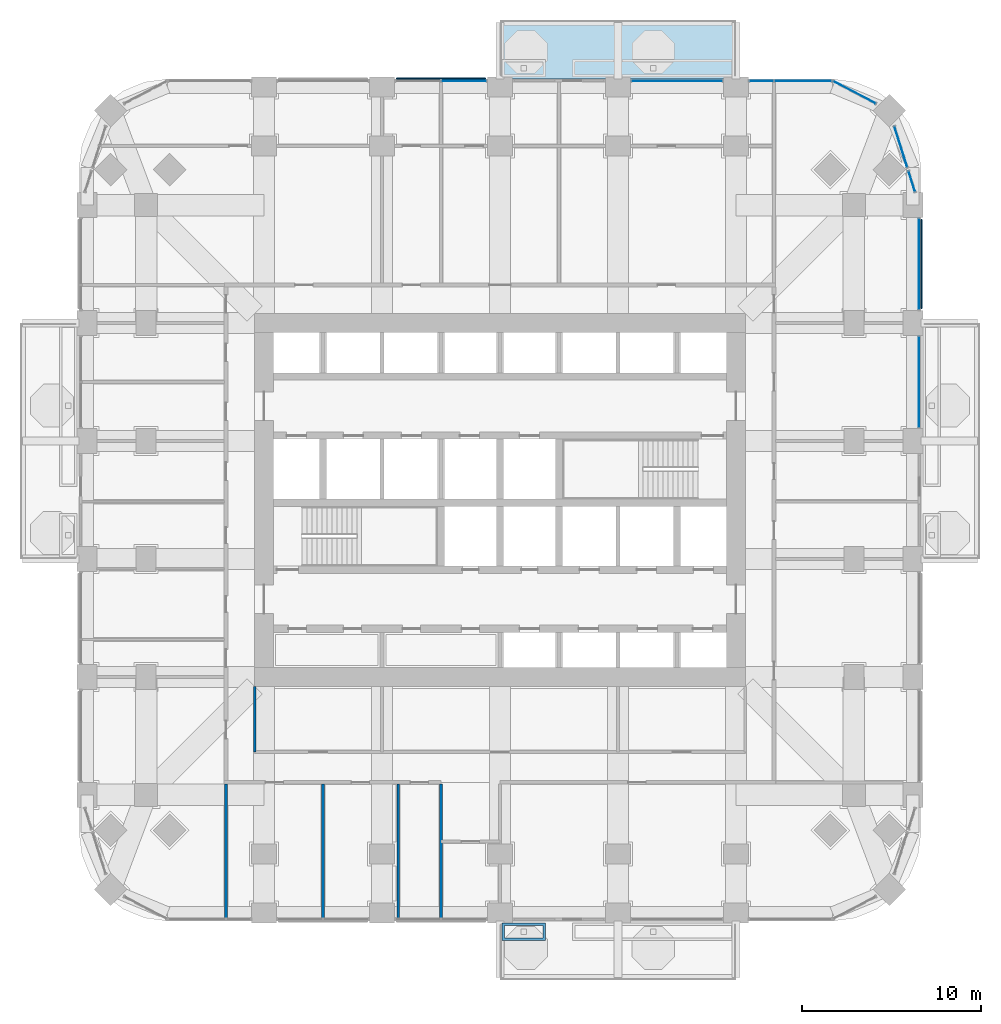
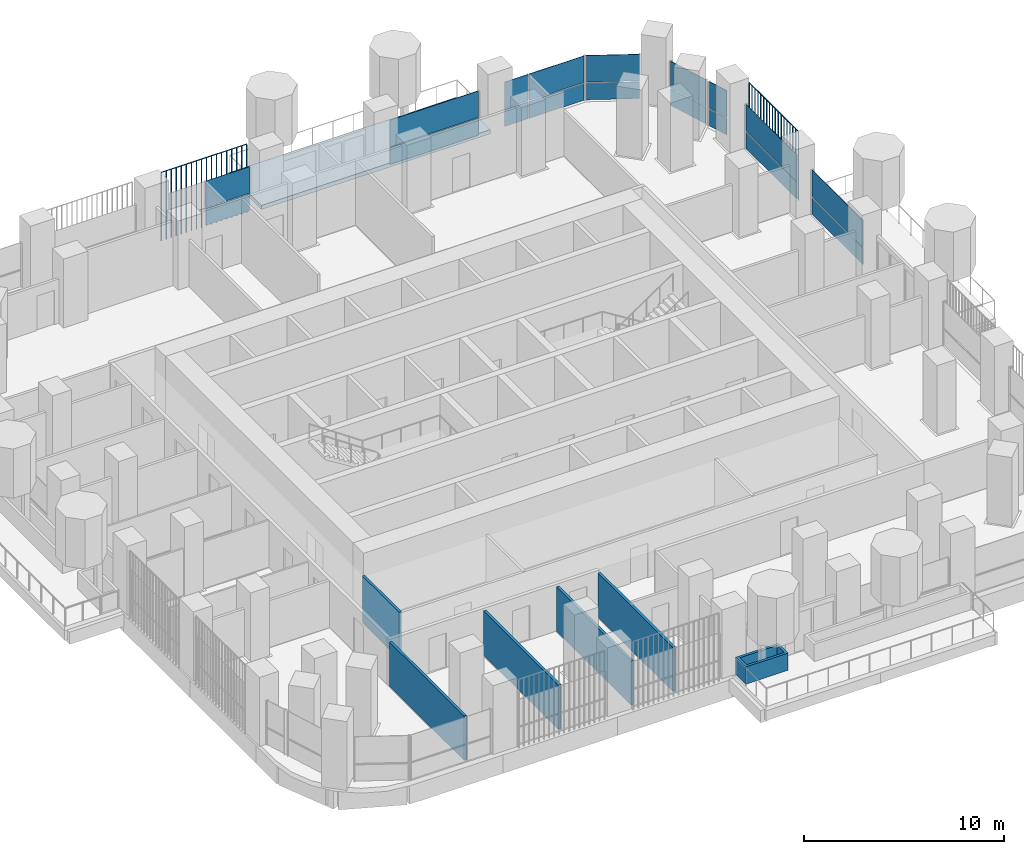
# One storey, part 13 of 22: 20 plates, 6 walls, 1 slab, 8 elements without a shape of their own.
"""IFC4 building model written with IfcOpenShell, lengths in metres."""

import ifcopenshell
import ifcopenshell.guid

model = None  # the IFC model being written
_history = None  # IfcOwnerHistory: only IFC2X3 demands one
_inside = {}  # id of a spatial element -> (the spatial element, [elements in it])
_under = {}  # id of a project, library or spatial element -> (it, [spatial elements below it])
_declared = {}  # id of a project -> (the project, [libraries it declares])
_typed = {}  # id of a type object -> (the type object, [elements of that type])
_made_of = {}  # id of a material, layer set ... -> (it, [elements and type objects made of it])


def new_model(schema):
    """Start an empty IFC model of exactly this schema.

    Asked for "IFC4X3", IfcOpenShell would pick the latest addendum, in which some entities
    have other attributes; the version numbers below select the first issue.
    IFC2X3 requires an IfcOwnerHistory on every rooted entity: one is made here for all.
    """
    global model, _history
    if schema == "IFC4X3":
        model = ifcopenshell.file(schema_version=(4, 3, 0, 0))
    else:
        model = ifcopenshell.file(schema=schema)
    _inside.clear()
    _under.clear()
    _declared.clear()
    _typed.clear()
    _made_of.clear()
    _history = None
    if model.schema == "IFC2X3":
        org = make("IfcOrganization", Name="unknown")
        user = make(
            "IfcPersonAndOrganization",
            ThePerson=make("IfcPerson", FamilyName="unknown"),
            TheOrganization=org,
        )
        app = make(
            "IfcApplication",
            ApplicationDeveloper=org,
            Version="unknown",
            ApplicationFullName="unknown",
            ApplicationIdentifier="unknown",
        )
        _history = make(
            "IfcOwnerHistory",
            OwningUser=user,
            OwningApplication=app,
            ChangeAction="ADDED",
            CreationDate=0,
        )
    return model


def make(cls, **values):
    """One entity of the class cls with the attributes given. An attribute that is None is left unset."""
    return model.create_entity(
        cls, **{name: value for name, value in values.items() if value is not None}
    )


def rooted(cls, **values):
    """An entity with a GlobalId (a new one), such as an element, a storey or a relation."""
    return make(cls, GlobalId=ifcopenshell.guid.new(), OwnerHistory=_history, **values)


def si_unit(unit_type, name, prefix=None):
    """IfcSIUnit, for example si_unit("LENGTHUNIT", "METRE", prefix="MILLI")."""
    return make("IfcSIUnit", UnitType=unit_type, Prefix=prefix, Name=name)


def assignment(units):
    """IfcUnitAssignment: the units of a project."""
    return None if units is None else make("IfcUnitAssignment", Units=units)


def point(xyz):
    """IfcCartesianPoint."""
    return None if xyz is None else make("IfcCartesianPoint", Coordinates=xyz)


def direction(xyz):
    """IfcDirection."""
    return None if xyz is None else make("IfcDirection", DirectionRatios=xyz)


def frame(location, z_axis=None, x_axis=None):
    """IfcAxis2Placement3D, a coordinate frame: its origin and axes. An axis left out is left unset."""
    return make(
        "IfcAxis2Placement3D",
        Location=point(location),
        Axis=direction(z_axis),
        RefDirection=direction(x_axis),
    )


def frame_2d(location, x_axis=None):
    """IfcAxis2Placement2D, a coordinate frame in the plane: its origin and x axis."""
    return make(
        "IfcAxis2Placement2D", Location=point(location), RefDirection=direction(x_axis)
    )


def origin():
    """The frame at (0, 0, 0) with its axes left unset."""
    return frame((0.0, 0.0, 0.0))


def origin_2d():
    """The frame at (0, 0) in the plane with its x axis left unset."""
    return frame_2d((0.0, 0.0))


def place(relative_to, where):
    """IfcLocalPlacement: puts the frame where relative to a parent placement (None: the world)."""
    return make(
        "IfcLocalPlacement", PlacementRelTo=relative_to, RelativePlacement=where
    )


def context(
    kind, dimensions, precision=None, world=None, true_north=None, identifier=None
):
    """IfcGeometricRepresentationContext, for example the 3D "Model" context."""
    return make(
        "IfcGeometricRepresentationContext",
        ContextIdentifier=identifier,
        ContextType=kind,
        CoordinateSpaceDimension=dimensions,
        Precision=precision,
        WorldCoordinateSystem=world,
        TrueNorth=true_north,
    )


def subcontext(parent, identifier, kind, view, scale=None):
    """IfcGeometricRepresentationSubContext, for example "Body" below "Model"."""
    return make(
        "IfcGeometricRepresentationSubContext",
        ContextIdentifier=identifier,
        ContextType=kind,
        ParentContext=parent,
        TargetScale=scale,
        TargetView=view,
    )


def project(units=None, contexts=None):
    """IfcProject with its units and contexts."""
    return rooted(
        "IfcProject",
        Name="project",
        RepresentationContexts=contexts,
        UnitsInContext=assignment(units),
    )


def spatial(cls, under=None, at=None, **own):
    """A site, building, storey or space (cls), placed at a placement, below another one or the project."""
    s = rooted(cls, ObjectPlacement=at, **own)
    if under is not None:
        _under.setdefault(under.id(), (under, []))[1].append(s)
    return s


def polyline(points):
    """IfcPolyline through the points."""
    return make("IfcPolyline", Points=[point(p) for p in points])


def profile(cls, at=None, kind="AREA", **sizes):
    """A parametric profile (cls). Its sizes go by their IFC names, for example OverallWidth=200.0."""
    return make(cls, ProfileType=kind, Position=at, **sizes)


def rectangle(**sizes):
    """IfcRectangleProfileDef."""
    return profile("IfcRectangleProfileDef", **sizes)


def outline(outer, holes=None, kind="AREA"):
    """IfcArbitraryClosedProfileDef: a profile drawn as a closed curve; with holes, ...WithVoids."""
    if holes is None:
        return make("IfcArbitraryClosedProfileDef", ProfileType=kind, OuterCurve=outer)
    return make(
        "IfcArbitraryProfileDefWithVoids",
        ProfileType=kind,
        OuterCurve=outer,
        InnerCurves=holes,
    )


def extrude(swept, where, along, depth):
    """IfcExtrudedAreaSolid: the profile swept, set in the frame where, extruded along a direction by depth."""
    return make(
        "IfcExtrudedAreaSolid",
        SweptArea=swept,
        Position=where,
        ExtrudedDirection=direction(along),
        Depth=depth,
    )


def shape(context_of_items, identifier, shape_type, items):
    """IfcShapeRepresentation: the items that make up one representation, for example the "Body"."""
    return make(
        "IfcShapeRepresentation",
        ContextOfItems=context_of_items,
        RepresentationIdentifier=identifier,
        RepresentationType=shape_type,
        Items=items,
    )


def material(Name=None, Category=None):
    """IfcMaterial."""
    return make("IfcMaterial", Name=Name, Category=Category)


def layer(
    of_material, thickness, ventilated=None, Name=None, Category=None, Priority=None
):
    """IfcMaterialLayer: one layer of a wall or slab, of a material (None: an air gap)."""
    return make(
        "IfcMaterialLayer",
        Material=of_material,
        LayerThickness=thickness,
        IsVentilated=ventilated,
        Name=Name,
        Category=Category,
        Priority=Priority,
    )


def layer_set(layers, Name=None):
    """IfcMaterialLayerSet."""
    return make("IfcMaterialLayerSet", MaterialLayers=layers, LayerSetName=Name)


def made_of(thing, what):
    """Note that an element or type object is made of a material, layer set ...; save() writes the relation."""
    if what is not None:
        _made_of.setdefault(what.id(), (what, []))[1].append(thing)
    return thing


def type_object(cls, material=None, **own):
    """A type object (cls), such as IfcWallType, which elements share."""
    return made_of(rooted(cls, **own), material)


def element(
    cls,
    number,
    at=None,
    inside=None,
    cuts=None,
    type_object=None,
    material=None,
    context=None,
    identifier="Body",
    shape_type=None,
    held_by="IfcProductDefinitionShape",
    body=None,
    shapes=None,
    **own,
):
    """One element of the class cls, such as IfcWall. Its Tag is "e" and its number.

    at: its placement. inside: the storey or other place that contains it. cuts: it is an
    opening in that element (IfcRelVoidsElement). A single representation is given by context,
    identifier, shape_type and body (its items); several are given by shapes. held_by: the class
    of the entity that holds the representations. save() writes the other relations.
    """
    e = rooted(cls, Tag="e%d" % number, ObjectPlacement=at, **own)
    if body is not None:
        shapes = [shape(context, identifier, shape_type, body)]
    if shapes is not None:
        e.Representation = make(held_by, Representations=shapes)
    if inside is not None:
        _inside.setdefault(inside.id(), (inside, []))[1].append(e)
    if cuts is not None:
        rooted(
            "IfcRelVoidsElement", RelatingBuildingElement=cuts, RelatedOpeningElement=e
        )
    if type_object is not None:
        _typed.setdefault(type_object.id(), (type_object, []))[1].append(e)
    return made_of(e, material)


def aggregate(whole, parts):
    """IfcRelAggregates: a whole, such as a stair, and the parts it consists of."""
    return rooted("IfcRelAggregates", RelatingObject=whole, RelatedObjects=parts)


def save(model, path):
    """Write the relations noted so far, then the file.

    IfcRelAggregates (storeys below a building ...), IfcRelContainedInSpatialStructure (elements
    in a storey), IfcRelDefinesByType, IfcRelAssociatesMaterial and IfcRelDeclares: one each for
    every whole, place, type object, material and project.
    """
    for whole, parts in _under.values():
        aggregate(whole, parts)
    for where, things in _inside.values():
        rooted(
            "IfcRelContainedInSpatialStructure",
            RelatedElements=things,
            RelatingStructure=where,
        )
    for kind, things in _typed.values():
        rooted("IfcRelDefinesByType", RelatedObjects=things, RelatingType=kind)
    for what, things in _made_of.values():
        rooted("IfcRelAssociatesMaterial", RelatedObjects=things, RelatingMaterial=what)
    for by, libraries in _declared.values():
        rooted("IfcRelDeclares", RelatingContext=by, RelatedDefinitions=libraries)
    model.write(path)


model = new_model("IFC4")

# Units and contexts
model_context = context("Model", 3, precision=1e-05, world=origin(), true_north=direction((0.0, 1.0)))
body_context = subcontext(model_context, "Body", "Model", "MODEL_VIEW")
ifc_project = project(units=[si_unit("LENGTHUNIT", "METRE"), si_unit("AREAUNIT", "SQUARE_METRE"), si_unit("VOLUMEUNIT", "CUBIC_METRE"), si_unit("PLANEANGLEUNIT", "RADIAN"), si_unit("MASSUNIT", "GRAM", prefix="KILO")], contexts=[model_context])

# Site, building, storey
site_placement = place(None, origin())
site = spatial("IfcSite", under=ifc_project, at=site_placement, CompositionType="ELEMENT")
building_placement = place(site_placement, origin())
building = spatial("IfcBuilding", under=site, at=building_placement, Name="Cobogo Forest Laboratory Tower", CompositionType="ELEMENT")
storey_placement = place(building_placement, frame((0.0, 0.0, 111.60009765625)))
storey = spatial("IfcBuildingStorey", under=building, at=storey_placement, Name="L25", CompositionType="ELEMENT", Elevation=111.60009765625)

# Slab
ifc_material_1 = material(Name="Concrete HA-40 (C40/50)", Category="concrete")
ifc_layer_1 = layer(ifc_material_1, 0.25)
ifc_layer_set_1 = layer_set([ifc_layer_1], Name="Balcony slab 250")
slab_type = type_object("IfcSlabType", Name="Balcony slab 250", PredefinedType="FLOOR", material=ifc_layer_set_1)
slab_placement = place(storey_placement, frame((0.0, 0.0, -0.25)))
element("IfcSlab", 1, at=slab_placement, inside=storey, type_object=slab_type, Name="Balcony BAL-N1 L25", PredefinedType="FLOOR", context=body_context, shape_type="SweptSolid", body=[
    extrude(outline(polyline([(26.39990234375, 46.64990234375), (39.60009765625, 46.64990234375), (39.60009765625, 49.949951171875), (26.39990234375, 49.949951171875), (26.39990234375, 46.64990234375)])), origin(), (0.0, 0.0, 1.0), 0.25),
])

# Curtain wall, plates
ifc_material_2 = material(Name="Aluminium curtain wall", Category="aluminium")
curtain_wall_type = type_object("IfcCurtainWallType", Name="CW-1 unitised curtain wall, clear glazing, laboratory floors zones A and B", PredefinedType="USERDEFINED", material=ifc_material_2)
curtain_wall_1_placement = place(storey_placement, origin())
curtain_wall_1 = element("IfcCurtainWall", 2, at=curtain_wall_1_placement, inside=storey, type_object=curtain_wall_type, Name="Curtain wall 13 L25", ObjectType="UNITISED CURTAIN WALL", PredefinedType="USERDEFINED")
ifc_material_3 = material(Name="Clear insulated glass", Category="glass")
ifc_layer_2 = layer(ifc_material_3, 0.028076171875)
ifc_layer_set_2 = layer_set([ifc_layer_2], Name="GP-1 clear insulated glass unit 28")
plate_type_1 = type_object("IfcPlateType", Name="GP-1 clear insulated glass unit 28", PredefinedType="CURTAIN_PANEL", material=ifc_layer_set_2)
plate_1_placement = place(storey_placement, frame((49.85009765625, 29.699951171875, 0.0), z_axis=(0.0, 0.0, 1.0), x_axis=(0.0, 1.0, 0.0)))
plate_1 = element("IfcPlate", 3, at=plate_1_placement, type_object=plate_type_1, Name="CW-1 panel 1.1", PredefinedType="CURTAIN_PANEL", context=body_context, shape_type="SweptSolid", body=[
    extrude(rectangle(XDim=5.080078125, YDim=0.028076171875, at=origin_2d()), origin(), (0.0, 0.0, 1.0), 1.02001953125),
])
plate_2_placement = place(storey_placement, frame((49.85009765625, 29.699951171875, 1.079833984375), z_axis=(0.0, 0.0, 1.0), x_axis=(0.0, 1.0, 0.0)))
plate_2 = element("IfcPlate", 4, at=plate_2_placement, type_object=plate_type_1, Name="CW-1 panel 1.2", PredefinedType="CURTAIN_PANEL", context=body_context, shape_type="SweptSolid", body=[
    extrude(rectangle(XDim=5.080078125, YDim=0.028076171875, at=origin_2d()), origin(), (0.0, 0.0, 1.0), 1.6201171875),
])
aggregate(curtain_wall_1, [plate_1, plate_2])

curtain_wall_2_placement = place(storey_placement, origin())
curtain_wall_2 = element("IfcCurtainWall", 5, at=curtain_wall_2_placement, inside=storey, type_object=curtain_wall_type, Name="Curtain wall 14 L25", ObjectType="UNITISED CURTAIN WALL", PredefinedType="USERDEFINED")
plate_3_placement = place(storey_placement, frame((49.85009765625, 36.300048828125, 0.0), z_axis=(0.0, 0.0, 1.0), x_axis=(0.0, 1.0, 0.0)))
plate_3 = element("IfcPlate", 6, at=plate_3_placement, type_object=plate_type_1, Name="CW-1 panel 1.1", PredefinedType="CURTAIN_PANEL", context=body_context, shape_type="SweptSolid", body=[
    extrude(rectangle(XDim=5.080078125, YDim=0.028076171875, at=origin_2d()), origin(), (0.0, 0.0, 1.0), 1.02001953125),
])
plate_4_placement = place(storey_placement, frame((49.85009765625, 36.300048828125, 1.079833984375), z_axis=(0.0, 0.0, 1.0), x_axis=(0.0, 1.0, 0.0)))
plate_4 = element("IfcPlate", 7, at=plate_4_placement, type_object=plate_type_1, Name="CW-1 panel 1.2", PredefinedType="CURTAIN_PANEL", context=body_context, shape_type="SweptSolid", body=[
    extrude(rectangle(XDim=5.080078125, YDim=0.028076171875, at=origin_2d()), origin(), (0.0, 0.0, 1.0), 1.6201171875),
])
aggregate(curtain_wall_2, [plate_3, plate_4])

curtain_wall_3_placement = place(storey_placement, origin())
curtain_wall_3 = element("IfcCurtainWall", 8, at=curtain_wall_3_placement, inside=storey, type_object=curtain_wall_type, Name="Curtain wall 15 L25", ObjectType="UNITISED CURTAIN WALL", PredefinedType="USERDEFINED")
plate_5_placement = place(storey_placement, frame((49.433837890625, 40.917724609375, 0.0), z_axis=(0.0, 0.0, 1.0), x_axis=(-0.301135356805, 0.953581405483, 0.0)))
plate_5 = element("IfcPlate", 9, at=plate_5_placement, type_object=plate_type_1, Name="CW-1 panel 1.1", PredefinedType="CURTAIN_PANEL", context=body_context, shape_type="SweptSolid", body=[
    extrude(rectangle(XDim=1.17578125, YDim=0.028076171875, at=origin_2d()), origin(), (0.0, 0.0, 1.0), 1.02001953125),
])
plate_6_placement = place(storey_placement, frame((49.433837890625, 40.917724609375, 1.079833984375), z_axis=(0.0, 0.0, 1.0), x_axis=(-0.301135356805, 0.953581405483, 0.0)))
plate_6 = element("IfcPlate", 10, at=plate_6_placement, type_object=plate_type_1, Name="CW-1 panel 1.2", PredefinedType="CURTAIN_PANEL", context=body_context, shape_type="SweptSolid", body=[
    extrude(rectangle(XDim=1.17578125, YDim=0.028076171875, at=origin_2d()), origin(), (0.0, 0.0, 1.0), 1.6201171875),
])
aggregate(curtain_wall_3, [plate_5, plate_6])

curtain_wall_4_placement = place(storey_placement, origin())
curtain_wall_4 = element("IfcCurtainWall", 11, at=curtain_wall_4_placement, inside=storey, type_object=curtain_wall_type, Name="Curtain wall 16 L25", ObjectType="UNITISED CURTAIN WALL", PredefinedType="USERDEFINED")
plate_7_placement = place(storey_placement, frame((48.8212890625, 42.857421875, 0.0), z_axis=(0.0, 0.0, 1.0), x_axis=(-0.301135291996, 0.953581425949, 0.0)))
plate_7 = element("IfcPlate", 12, at=plate_7_placement, type_object=plate_type_1, Name="CW-1 panel 1.1", PredefinedType="CURTAIN_PANEL", context=body_context, shape_type="SweptSolid", body=[
    extrude(rectangle(XDim=2.3681640625, YDim=0.028076171875, at=origin_2d()), origin(), (0.0, 0.0, 1.0), 1.02001953125),
])
plate_8_placement = place(storey_placement, frame((48.8212890625, 42.857421875, 1.079833984375), z_axis=(0.0, 0.0, 1.0), x_axis=(-0.301135291996, 0.953581425949, 0.0)))
plate_8 = element("IfcPlate", 13, at=plate_8_placement, type_object=plate_type_1, Name="CW-1 panel 1.2", PredefinedType="CURTAIN_PANEL", context=body_context, shape_type="SweptSolid", body=[
    extrude(rectangle(XDim=2.3681640625, YDim=0.028076171875, at=origin_2d()), origin(), (0.0, 0.0, 1.0), 1.6201171875),
])
aggregate(curtain_wall_4, [plate_7, plate_8])

curtain_wall_5_placement = place(storey_placement, origin())
curtain_wall_5 = element("IfcCurtainWall", 14, at=curtain_wall_5_placement, inside=storey, type_object=curtain_wall_type, Name="Curtain wall 17 L25", ObjectType="UNITISED CURTAIN WALL", PredefinedType="USERDEFINED")
plate_9_placement = place(storey_placement, frame((46.229248046875, 45.90576171875, 0.0), z_axis=(0.0, 0.0, 1.0), x_axis=(-0.885686547075, 0.464283685186, 0.0)))
plate_9 = element("IfcPlate", 15, at=plate_9_placement, type_object=plate_type_1, Name="CW-1 panel 1.1", PredefinedType="CURTAIN_PANEL", context=body_context, shape_type="SweptSolid", body=[
    extrude(rectangle(XDim=2.655517578125, YDim=0.028076171875, at=origin_2d()), origin(), (0.0, 0.0, 1.0), 1.02001953125),
])
plate_10_placement = place(storey_placement, frame((46.229248046875, 45.90576171875, 1.079833984375), z_axis=(0.0, 0.0, 1.0), x_axis=(-0.885686547075, 0.464283685186, 0.0)))
plate_10 = element("IfcPlate", 16, at=plate_10_placement, type_object=plate_type_1, Name="CW-1 panel 1.2", PredefinedType="CURTAIN_PANEL", context=body_context, shape_type="SweptSolid", body=[
    extrude(rectangle(XDim=2.655517578125, YDim=0.028076171875, at=origin_2d()), origin(), (0.0, 0.0, 1.0), 1.6201171875),
])
aggregate(curtain_wall_5, [plate_9, plate_10])

curtain_wall_6_placement = place(storey_placement, origin())
curtain_wall_6 = element("IfcCurtainWall", 17, at=curtain_wall_6_placement, inside=storey, type_object=curtain_wall_type, Name="Curtain wall 18 L25", ObjectType="UNITISED CURTAIN WALL", PredefinedType="USERDEFINED")
plate_11_placement = place(storey_placement, frame((43.347412109375, 46.550048828125, 0.0), z_axis=(0.0, 0.0, 1.0), x_axis=(-1.0, 0.0, 0.0)))
plate_11 = element("IfcPlate", 18, at=plate_11_placement, type_object=plate_type_1, Name="CW-1 panel 1.1", PredefinedType="CURTAIN_PANEL", context=body_context, shape_type="SweptSolid", body=[
    extrude(rectangle(XDim=3.18505859375, YDim=0.028076171875, at=origin_2d()), origin(), (0.0, 0.0, 1.0), 1.02001953125),
])
plate_12_placement = place(storey_placement, frame((43.347412109375, 46.550048828125, 1.079833984375), z_axis=(0.0, 0.0, 1.0), x_axis=(-1.0, 0.0, 0.0)))
plate_12 = element("IfcPlate", 19, at=plate_12_placement, type_object=plate_type_1, Name="CW-1 panel 1.2", PredefinedType="CURTAIN_PANEL", context=body_context, shape_type="SweptSolid", body=[
    extrude(rectangle(XDim=3.18505859375, YDim=0.028076171875, at=origin_2d()), origin(), (0.0, 0.0, 1.0), 1.6201171875),
])
plate_13_placement = place(storey_placement, frame((41.027587890625, 46.550048828125, 0.0), z_axis=(0.0, 0.0, 1.0), x_axis=(-1.0, 0.0, 0.0)))
plate_13 = element("IfcPlate", 20, at=plate_13_placement, type_object=plate_type_1, Name="CW-1 panel 2.1", PredefinedType="CURTAIN_PANEL", context=body_context, shape_type="SweptSolid", body=[
    extrude(rectangle(XDim=1.3349609375, YDim=0.028076171875, at=origin_2d()), origin(), (0.0, 0.0, 1.0), 1.02001953125),
])
plate_14_placement = place(storey_placement, frame((41.027587890625, 46.550048828125, 1.079833984375), z_axis=(0.0, 0.0, 1.0), x_axis=(-1.0, 0.0, 0.0)))
plate_14 = element("IfcPlate", 21, at=plate_14_placement, type_object=plate_type_1, Name="CW-1 panel 2.2", PredefinedType="CURTAIN_PANEL", context=body_context, shape_type="SweptSolid", body=[
    extrude(rectangle(XDim=1.3349609375, YDim=0.028076171875, at=origin_2d()), origin(), (0.0, 0.0, 1.0), 1.6201171875),
])
aggregate(curtain_wall_6, [plate_11, plate_12, plate_13, plate_14])

curtain_wall_7_placement = place(storey_placement, origin())
curtain_wall_7 = element("IfcCurtainWall", 22, at=curtain_wall_7_placement, inside=storey, type_object=curtain_wall_type, Name="Curtain wall 19 L25", ObjectType="UNITISED CURTAIN WALL", PredefinedType="USERDEFINED")
plate_15_placement = place(storey_placement, frame((36.300048828125, 46.550048828125, 0.0), z_axis=(0.0, 0.0, 1.0), x_axis=(-1.0, 0.0, 0.0)))
plate_15 = element("IfcPlate", 23, at=plate_15_placement, type_object=plate_type_1, Name="CW-1 panel 1.1", PredefinedType="CURTAIN_PANEL", context=body_context, shape_type="SweptSolid", body=[
    extrude(rectangle(XDim=5.080078125, YDim=0.028076171875, at=origin_2d()), origin(), (0.0, 0.0, 1.0), 1.02001953125),
])
plate_16_placement = place(storey_placement, frame((36.300048828125, 46.550048828125, 1.079833984375), z_axis=(0.0, 0.0, 1.0), x_axis=(-1.0, 0.0, 0.0)))
plate_16 = element("IfcPlate", 24, at=plate_16_placement, type_object=plate_type_1, Name="CW-1 panel 1.2", PredefinedType="CURTAIN_PANEL", context=body_context, shape_type="SweptSolid", body=[
    extrude(rectangle(XDim=5.080078125, YDim=0.028076171875, at=origin_2d()), origin(), (0.0, 0.0, 1.0), 1.6201171875),
])
aggregate(curtain_wall_7, [plate_15, plate_16])

curtain_wall_8_placement = place(storey_placement, origin())
curtain_wall_8 = element("IfcCurtainWall", 25, at=curtain_wall_8_placement, inside=storey, type_object=curtain_wall_type, Name="Curtain wall 21 L25", ObjectType="UNITISED CURTAIN WALL", PredefinedType="USERDEFINED")
plate_17_placement = place(storey_placement, frame((24.385009765625, 46.550048828125, 0.0), z_axis=(0.0, 0.0, 1.0), x_axis=(-1.0, 0.0, 0.0)))
plate_17 = element("IfcPlate", 26, at=plate_17_placement, type_object=plate_type_1, Name="CW-1 panel 1.1", PredefinedType="CURTAIN_PANEL", context=body_context, shape_type="SweptSolid", body=[
    extrude(rectangle(XDim=2.510009765625, YDim=0.028076171875, at=origin_2d()), origin(), (0.0, 0.0, 1.0), 1.02001953125),
])
plate_18_placement = place(storey_placement, frame((24.385009765625, 46.550048828125, 1.079833984375), z_axis=(0.0, 0.0, 1.0), x_axis=(-1.0, 0.0, 0.0)))
plate_18 = element("IfcPlate", 27, at=plate_18_placement, type_object=plate_type_1, Name="CW-1 panel 1.2", PredefinedType="CURTAIN_PANEL", context=body_context, shape_type="SweptSolid", body=[
    extrude(rectangle(XDim=2.510009765625, YDim=0.028076171875, at=origin_2d()), origin(), (0.0, 0.0, 1.0), 1.6201171875),
])
aggregate(curtain_wall_8, [plate_17, plate_18])

# Plates
ifc_material_4 = material(Name="Terracotta", Category="masonry")
plate_type_2 = type_object("IfcPlateType", Name="TB1 terracotta baguette screen", PredefinedType="USERDEFINED", material=ifc_material_4)
plate_19_placement = place(storey_placement, frame((49.977783203125, 33.831298828125, -0.150146484375)))
element("IfcPlate", 28, at=plate_19_placement, inside=storey, type_object=plate_type_2, Name="Baguette screen E5 L25", ObjectType="BAGUETTE SCREEN", PredefinedType="USERDEFINED", context=body_context, shape_type="SweptSolid", body=[
    extrude(outline(polyline([(0.02880859375, 0.011962890625), (0.011962890625, 0.02880859375), (-0.011962890625, 0.02880859375), (-0.02880859375, 0.011962890625), (-0.02880859375, -0.011962890625), (-0.011962890625, -0.02880859375), (0.011962890625, -0.02880859375), (0.02880859375, -0.011962890625), (0.02880859375, 0.011962890625)])), frame((0.0, 0.0, 4.168701171875), z_axis=(0.0, 1.0, 0.0), x_axis=(-1.0, 0.0, 0.0)), (0.0, 0.0, 1.0), 4.9375),
    extrude(outline(polyline([(0.02880859375, 0.011962890625), (0.011962890625, 0.02880859375), (-0.011962890625, 0.02880859375), (-0.02880859375, 0.011962890625), (-0.02880859375, -0.011962890625), (-0.011962890625, -0.02880859375), (0.011962890625, -0.02880859375), (0.02880859375, -0.011962890625), (0.02880859375, 0.011962890625)])), origin(), (0.0, 0.0, 1.0), 4.137451171875),
    extrude(outline(polyline([(0.02880859375, 0.011962890625), (0.011962890625, 0.02880859375), (-0.011962890625, 0.02880859375), (-0.02880859375, 0.011962890625), (-0.02880859375, -0.011962890625), (-0.011962890625, -0.02880859375), (0.011962890625, -0.02880859375), (0.02880859375, -0.011962890625), (0.02880859375, 0.011962890625)])), frame((0.0, 0.29052734375, 0.0)), (0.0, 0.0, 1.0), 4.137451171875),
    extrude(outline(polyline([(0.02880859375, 0.011962890625), (0.011962890625, 0.02880859375), (-0.011962890625, 0.02880859375), (-0.02880859375, 0.011962890625), (-0.02880859375, -0.011962890625), (-0.011962890625, -0.02880859375), (0.011962890625, -0.02880859375), (0.02880859375, -0.011962890625), (0.02880859375, 0.011962890625)])), frame((0.0, 0.580810546875, 0.0)), (0.0, 0.0, 1.0), 4.137451171875),
    extrude(outline(polyline([(0.02880859375, 0.011962890625), (0.011962890625, 0.02880859375), (-0.011962890625, 0.02880859375), (-0.02880859375, 0.011962890625), (-0.02880859375, -0.011962890625), (-0.011962890625, -0.02880859375), (0.011962890625, -0.02880859375), (0.02880859375, -0.011962890625), (0.02880859375, 0.011962890625)])), frame((0.0, 0.871337890625, 0.0)), (0.0, 0.0, 1.0), 4.137451171875),
    extrude(outline(polyline([(0.02880859375, 0.011962890625), (0.011962890625, 0.02880859375), (-0.011962890625, 0.02880859375), (-0.02880859375, 0.011962890625), (-0.02880859375, -0.011962890625), (-0.011962890625, -0.02880859375), (0.011962890625, -0.02880859375), (0.02880859375, -0.011962890625), (0.02880859375, 0.011962890625)])), frame((0.0, 1.161865234375, 0.0)), (0.0, 0.0, 1.0), 4.137451171875),
    extrude(outline(polyline([(0.02880859375, 0.011962890625), (0.011962890625, 0.02880859375), (-0.011962890625, 0.02880859375), (-0.02880859375, 0.011962890625), (-0.02880859375, -0.011962890625), (-0.011962890625, -0.02880859375), (0.011962890625, -0.02880859375), (0.02880859375, -0.011962890625), (0.02880859375, 0.011962890625)])), frame((0.0, 1.4521484375, 0.0)), (0.0, 0.0, 1.0), 4.137451171875),
    extrude(outline(polyline([(0.02880859375, 0.011962890625), (0.011962890625, 0.02880859375), (-0.011962890625, 0.02880859375), (-0.02880859375, 0.011962890625), (-0.02880859375, -0.011962890625), (-0.011962890625, -0.02880859375), (0.011962890625, -0.02880859375), (0.02880859375, -0.011962890625), (0.02880859375, 0.011962890625)])), frame((0.0, 1.74267578125, 0.0)), (0.0, 0.0, 1.0), 4.137451171875),
    extrude(outline(polyline([(0.02880859375, 0.011962890625), (0.011962890625, 0.02880859375), (-0.011962890625, 0.02880859375), (-0.02880859375, 0.011962890625), (-0.02880859375, -0.011962890625), (-0.011962890625, -0.02880859375), (0.011962890625, -0.02880859375), (0.02880859375, -0.011962890625), (0.02880859375, 0.011962890625)])), frame((0.0, 2.033203125, 0.0)), (0.0, 0.0, 1.0), 4.137451171875),
    extrude(outline(polyline([(0.02880859375, 0.011962890625), (0.011962890625, 0.02880859375), (-0.011962890625, 0.02880859375), (-0.02880859375, 0.011962890625), (-0.02880859375, -0.011962890625), (-0.011962890625, -0.02880859375), (0.011962890625, -0.02880859375), (0.02880859375, -0.011962890625), (0.02880859375, 0.011962890625)])), frame((0.0, 2.323486328125, 0.0)), (0.0, 0.0, 1.0), 4.137451171875),
    extrude(outline(polyline([(0.02880859375, 0.011962890625), (0.011962890625, 0.02880859375), (-0.011962890625, 0.02880859375), (-0.02880859375, 0.011962890625), (-0.02880859375, -0.011962890625), (-0.011962890625, -0.02880859375), (0.011962890625, -0.02880859375), (0.02880859375, -0.011962890625), (0.02880859375, 0.011962890625)])), frame((0.0, 2.614013671875, 0.0)), (0.0, 0.0, 1.0), 4.137451171875),
    extrude(outline(polyline([(0.02880859375, 0.011962890625), (0.011962890625, 0.02880859375), (-0.011962890625, 0.02880859375), (-0.02880859375, 0.011962890625), (-0.02880859375, -0.011962890625), (-0.011962890625, -0.02880859375), (0.011962890625, -0.02880859375), (0.02880859375, -0.011962890625), (0.02880859375, 0.011962890625)])), frame((0.0, 2.904296875, 0.0)), (0.0, 0.0, 1.0), 4.137451171875),
    extrude(outline(polyline([(0.02880859375, 0.011962890625), (0.011962890625, 0.02880859375), (-0.011962890625, 0.02880859375), (-0.02880859375, 0.011962890625), (-0.02880859375, -0.011962890625), (-0.011962890625, -0.02880859375), (0.011962890625, -0.02880859375), (0.02880859375, -0.011962890625), (0.02880859375, 0.011962890625)])), frame((0.0, 3.19482421875, 0.0)), (0.0, 0.0, 1.0), 4.137451171875),
    extrude(outline(polyline([(0.02880859375, 0.011962890625), (0.011962890625, 0.02880859375), (-0.011962890625, 0.02880859375), (-0.02880859375, 0.011962890625), (-0.02880859375, -0.011962890625), (-0.011962890625, -0.02880859375), (0.011962890625, -0.02880859375), (0.02880859375, -0.011962890625), (0.02880859375, 0.011962890625)])), frame((0.0, 3.4853515625, 0.0)), (0.0, 0.0, 1.0), 4.137451171875),
    extrude(outline(polyline([(0.02880859375, 0.011962890625), (0.011962890625, 0.02880859375), (-0.011962890625, 0.02880859375), (-0.02880859375, 0.011962890625), (-0.02880859375, -0.011962890625), (-0.011962890625, -0.02880859375), (0.011962890625, -0.02880859375), (0.02880859375, -0.011962890625), (0.02880859375, 0.011962890625)])), frame((0.0, 3.775634765625, 0.0)), (0.0, 0.0, 1.0), 4.137451171875),
    extrude(outline(polyline([(0.02880859375, 0.011962890625), (0.011962890625, 0.02880859375), (-0.011962890625, 0.02880859375), (-0.02880859375, 0.011962890625), (-0.02880859375, -0.011962890625), (-0.011962890625, -0.02880859375), (0.011962890625, -0.02880859375), (0.02880859375, -0.011962890625), (0.02880859375, 0.011962890625)])), frame((0.0, 4.066162109375, 0.0)), (0.0, 0.0, 1.0), 4.137451171875),
    extrude(outline(polyline([(0.02880859375, 0.011962890625), (0.011962890625, 0.02880859375), (-0.011962890625, 0.02880859375), (-0.02880859375, 0.011962890625), (-0.02880859375, -0.011962890625), (-0.011962890625, -0.02880859375), (0.011962890625, -0.02880859375), (0.02880859375, -0.011962890625), (0.02880859375, 0.011962890625)])), frame((0.0, 4.356689453125, 0.0)), (0.0, 0.0, 1.0), 4.137451171875),
    extrude(outline(polyline([(0.02880859375, 0.011962890625), (0.011962890625, 0.02880859375), (-0.011962890625, 0.02880859375), (-0.02880859375, 0.011962890625), (-0.02880859375, -0.011962890625), (-0.011962890625, -0.02880859375), (0.011962890625, -0.02880859375), (0.02880859375, -0.011962890625), (0.02880859375, 0.011962890625)])), frame((0.0, 4.64697265625, 0.0)), (0.0, 0.0, 1.0), 4.137451171875),
    extrude(outline(polyline([(0.02880859375, 0.011962890625), (0.011962890625, 0.02880859375), (-0.011962890625, 0.02880859375), (-0.02880859375, 0.011962890625), (-0.02880859375, -0.011962890625), (-0.011962890625, -0.02880859375), (0.011962890625, -0.02880859375), (0.02880859375, -0.011962890625), (0.02880859375, 0.011962890625)])), frame((0.0, 4.9375, 0.0)), (0.0, 0.0, 1.0), 4.137451171875),
])
plate_20_placement = place(storey_placement, frame((20.63134765625, 46.677978515625, -0.150146484375)))
element("IfcPlate", 29, at=plate_20_placement, inside=storey, type_object=plate_type_2, Name="Baguette screen N2 L25", ObjectType="BAGUETTE SCREEN", PredefinedType="USERDEFINED", context=body_context, shape_type="SweptSolid", body=[
    extrude(outline(polyline([(0.02880859375, 0.011962890625), (0.011962890625, 0.02880859375), (-0.011962890625, 0.02880859375), (-0.02880859375, 0.011962890625), (-0.02880859375, -0.011962890625), (-0.011962890625, -0.02880859375), (0.011962890625, -0.02880859375), (0.02880859375, -0.011962890625), (0.02880859375, 0.011962890625)])), frame((0.0, 0.0, 4.168701171875), z_axis=(1.0, 0.0, 0.0), x_axis=(0.0, 1.0, 0.0)), (0.0, 0.0, 1.0), 4.9375),
    extrude(outline(polyline([(0.02880859375, 0.011962890625), (0.011962890625, 0.02880859375), (-0.011962890625, 0.02880859375), (-0.02880859375, 0.011962890625), (-0.02880859375, -0.011962890625), (-0.011962890625, -0.02880859375), (0.011962890625, -0.02880859375), (0.02880859375, -0.011962890625), (0.02880859375, 0.011962890625)])), origin(), (0.0, 0.0, 1.0), 4.137451171875),
    extrude(outline(polyline([(0.02880859375, 0.011962890625), (0.011962890625, 0.02880859375), (-0.011962890625, 0.02880859375), (-0.02880859375, 0.011962890625), (-0.02880859375, -0.011962890625), (-0.011962890625, -0.02880859375), (0.011962890625, -0.02880859375), (0.02880859375, -0.011962890625), (0.02880859375, 0.011962890625)])), frame((0.29052734375, 0.0, 0.0)), (0.0, 0.0, 1.0), 4.137451171875),
    extrude(outline(polyline([(0.02880859375, 0.011962890625), (0.011962890625, 0.02880859375), (-0.011962890625, 0.02880859375), (-0.02880859375, 0.011962890625), (-0.02880859375, -0.011962890625), (-0.011962890625, -0.02880859375), (0.011962890625, -0.02880859375), (0.02880859375, -0.011962890625), (0.02880859375, 0.011962890625)])), frame((0.580810546875, 0.0, 0.0)), (0.0, 0.0, 1.0), 4.137451171875),
    extrude(outline(polyline([(0.02880859375, 0.011962890625), (0.011962890625, 0.02880859375), (-0.011962890625, 0.02880859375), (-0.02880859375, 0.011962890625), (-0.02880859375, -0.011962890625), (-0.011962890625, -0.02880859375), (0.011962890625, -0.02880859375), (0.02880859375, -0.011962890625), (0.02880859375, 0.011962890625)])), frame((0.871337890625, 0.0, 0.0)), (0.0, 0.0, 1.0), 4.137451171875),
    extrude(outline(polyline([(0.02880859375, 0.011962890625), (0.011962890625, 0.02880859375), (-0.011962890625, 0.02880859375), (-0.02880859375, 0.011962890625), (-0.02880859375, -0.011962890625), (-0.011962890625, -0.02880859375), (0.011962890625, -0.02880859375), (0.02880859375, -0.011962890625), (0.02880859375, 0.011962890625)])), frame((1.161865234375, 0.0, 0.0)), (0.0, 0.0, 1.0), 4.137451171875),
    extrude(outline(polyline([(0.02880859375, 0.011962890625), (0.011962890625, 0.02880859375), (-0.011962890625, 0.02880859375), (-0.02880859375, 0.011962890625), (-0.02880859375, -0.011962890625), (-0.011962890625, -0.02880859375), (0.011962890625, -0.02880859375), (0.02880859375, -0.011962890625), (0.02880859375, 0.011962890625)])), frame((1.4521484375, 0.0, 0.0)), (0.0, 0.0, 1.0), 4.137451171875),
    extrude(outline(polyline([(0.02880859375, 0.011962890625), (0.011962890625, 0.02880859375), (-0.011962890625, 0.02880859375), (-0.02880859375, 0.011962890625), (-0.02880859375, -0.011962890625), (-0.011962890625, -0.02880859375), (0.011962890625, -0.02880859375), (0.02880859375, -0.011962890625), (0.02880859375, 0.011962890625)])), frame((1.74267578125, 0.0, 0.0)), (0.0, 0.0, 1.0), 4.137451171875),
    extrude(outline(polyline([(0.02880859375, 0.011962890625), (0.011962890625, 0.02880859375), (-0.011962890625, 0.02880859375), (-0.02880859375, 0.011962890625), (-0.02880859375, -0.011962890625), (-0.011962890625, -0.02880859375), (0.011962890625, -0.02880859375), (0.02880859375, -0.011962890625), (0.02880859375, 0.011962890625)])), frame((2.033203125, 0.0, 0.0)), (0.0, 0.0, 1.0), 4.137451171875),
    extrude(outline(polyline([(0.02880859375, 0.011962890625), (0.011962890625, 0.02880859375), (-0.011962890625, 0.02880859375), (-0.02880859375, 0.011962890625), (-0.02880859375, -0.011962890625), (-0.011962890625, -0.02880859375), (0.011962890625, -0.02880859375), (0.02880859375, -0.011962890625), (0.02880859375, 0.011962890625)])), frame((2.323486328125, 0.0, 0.0)), (0.0, 0.0, 1.0), 4.137451171875),
    extrude(outline(polyline([(0.02880859375, 0.011962890625), (0.011962890625, 0.02880859375), (-0.011962890625, 0.02880859375), (-0.02880859375, 0.011962890625), (-0.02880859375, -0.011962890625), (-0.011962890625, -0.02880859375), (0.011962890625, -0.02880859375), (0.02880859375, -0.011962890625), (0.02880859375, 0.011962890625)])), frame((2.614013671875, 0.0, 0.0)), (0.0, 0.0, 1.0), 4.137451171875),
    extrude(outline(polyline([(0.02880859375, 0.011962890625), (0.011962890625, 0.02880859375), (-0.011962890625, 0.02880859375), (-0.02880859375, 0.011962890625), (-0.02880859375, -0.011962890625), (-0.011962890625, -0.02880859375), (0.011962890625, -0.02880859375), (0.02880859375, -0.011962890625), (0.02880859375, 0.011962890625)])), frame((2.904296875, 0.0, 0.0)), (0.0, 0.0, 1.0), 4.137451171875),
    extrude(outline(polyline([(0.02880859375, 0.011962890625), (0.011962890625, 0.02880859375), (-0.011962890625, 0.02880859375), (-0.02880859375, 0.011962890625), (-0.02880859375, -0.011962890625), (-0.011962890625, -0.02880859375), (0.011962890625, -0.02880859375), (0.02880859375, -0.011962890625), (0.02880859375, 0.011962890625)])), frame((3.19482421875, 0.0, 0.0)), (0.0, 0.0, 1.0), 4.137451171875),
    extrude(outline(polyline([(0.02880859375, 0.011962890625), (0.011962890625, 0.02880859375), (-0.011962890625, 0.02880859375), (-0.02880859375, 0.011962890625), (-0.02880859375, -0.011962890625), (-0.011962890625, -0.02880859375), (0.011962890625, -0.02880859375), (0.02880859375, -0.011962890625), (0.02880859375, 0.011962890625)])), frame((3.4853515625, 0.0, 0.0)), (0.0, 0.0, 1.0), 4.137451171875),
    extrude(outline(polyline([(0.02880859375, 0.011962890625), (0.011962890625, 0.02880859375), (-0.011962890625, 0.02880859375), (-0.02880859375, 0.011962890625), (-0.02880859375, -0.011962890625), (-0.011962890625, -0.02880859375), (0.011962890625, -0.02880859375), (0.02880859375, -0.011962890625), (0.02880859375, 0.011962890625)])), frame((3.775634765625, 0.0, 0.0)), (0.0, 0.0, 1.0), 4.137451171875),
    extrude(outline(polyline([(0.02880859375, 0.011962890625), (0.011962890625, 0.02880859375), (-0.011962890625, 0.02880859375), (-0.02880859375, 0.011962890625), (-0.02880859375, -0.011962890625), (-0.011962890625, -0.02880859375), (0.011962890625, -0.02880859375), (0.02880859375, -0.011962890625), (0.02880859375, 0.011962890625)])), frame((4.066162109375, 0.0, 0.0)), (0.0, 0.0, 1.0), 4.137451171875),
    extrude(outline(polyline([(0.02880859375, 0.011962890625), (0.011962890625, 0.02880859375), (-0.011962890625, 0.02880859375), (-0.02880859375, 0.011962890625), (-0.02880859375, -0.011962890625), (-0.011962890625, -0.02880859375), (0.011962890625, -0.02880859375), (0.02880859375, -0.011962890625), (0.02880859375, 0.011962890625)])), frame((4.356689453125, 0.0, 0.0)), (0.0, 0.0, 1.0), 4.137451171875),
    extrude(outline(polyline([(0.02880859375, 0.011962890625), (0.011962890625, 0.02880859375), (-0.011962890625, 0.02880859375), (-0.02880859375, 0.011962890625), (-0.02880859375, -0.011962890625), (-0.011962890625, -0.02880859375), (0.011962890625, -0.02880859375), (0.02880859375, -0.011962890625), (0.02880859375, 0.011962890625)])), frame((4.64697265625, 0.0, 0.0)), (0.0, 0.0, 1.0), 4.137451171875),
    extrude(outline(polyline([(0.02880859375, 0.011962890625), (0.011962890625, 0.02880859375), (-0.011962890625, 0.02880859375), (-0.02880859375, 0.011962890625), (-0.02880859375, -0.011962890625), (-0.011962890625, -0.02880859375), (0.011962890625, -0.02880859375), (0.02880859375, -0.011962890625), (0.02880859375, 0.011962890625)])), frame((4.9375, 0.0, 0.0)), (0.0, 0.0, 1.0), 4.137451171875),
])

# Walls
ifc_material_5 = material(Name="Gypsum board on steel studs", Category="steel")
ifc_layer_3 = layer(ifc_material_5, 0.14990234375)
ifc_layer_set_3 = layer_set([ifc_layer_3], Name="PT1 laboratory partition 150")
wall_type_1 = type_object("IfcWallType", Name="PT1 laboratory partition 150", PredefinedType="PARTITIONING", material=ifc_layer_set_3)
wall_1_placement = place(storey_placement, frame((12.675048828125, 12.675048828125, 0.0), z_axis=(0.0, 0.0, 1.0), x_axis=(0.0, -1.0, 0.0)))
element("IfcWall", 30, at=wall_1_placement, inside=storey, type_object=wall_type_1, Name="Partition CSTRIP-SW L25", PredefinedType="PARTITIONING", context=body_context, shape_type="SweptSolid", body=[
    extrude(rectangle(XDim=3.675048828125, YDim=0.14990234375, at=frame_2d((1.83740234375, 0.0))), origin(), (0.0, 0.0, 1.0), 2.849853515625),
])
for number, where, z_axis, x_axis, name in (
    (31, (11.074951171875, -0.27001953125, 0.0), (0.0, 0.0, 1.0), (0.0, 1.0, 0.0), "Partition PW-SW L25"),
    (32, (20.699951171875, -0.27001953125, 0.0), (0.0, 0.0, 1.0), (0.0, 1.0, 0.0), "Partition SVC-S1-1 L25"),
    (33, (16.5, -0.27001953125, 0.0), (0.0, 0.0, 1.0), (0.0, 1.0, 0.0), "Partition CUT-S16.5-1 L25"),
    (34, (23.10009765625, -0.27001953125, 0.0), (0.0, 0.0, 1.0), (0.0, 1.0, 0.0), "Partition CUT-S23.1-1 L25"),
):
    element("IfcWall", number, at=place(storey_placement, frame(where, z_axis=z_axis, x_axis=x_axis)), inside=storey, type_object=wall_type_1, Name=name, PredefinedType="PARTITIONING", context=body_context, shape_type="SweptSolid", body=[
        extrude(rectangle(XDim=7.469970703125, YDim=0.14990234375, at=frame_2d((3.73486328125, 0.0))), origin(), (0.0, 0.0, 1.0), 2.699951171875),
    ])
ifc_layer_4 = layer(ifc_material_1, 0.14990234375)
ifc_layer_set_4 = layer_set([ifc_layer_4], Name="Planter box 1000x1050")
wall_type_2 = type_object("IfcWallType", Name="Planter box 1000x1050", PredefinedType="USERDEFINED", material=ifc_layer_set_4)
wall_2_placement = place(storey_placement, origin())
element("IfcWall", 35, at=wall_2_placement, inside=storey, type_object=wall_type_2, Name="Planter BAL-S1-1 L25", ObjectType="PLANTER", PredefinedType="USERDEFINED", context=body_context, shape_type="SweptSolid", body=[
    extrude(outline(polyline([(26.5, -1.550048828125), (28.949951171875, -1.550048828125), (28.949951171875, -0.550048828125), (26.5, -0.550048828125), (26.5, -1.550048828125)]), holes=[polyline([(26.64990234375, -1.39990234375), (28.800048828125, -1.39990234375), (28.800048828125, -0.699951171875), (26.64990234375, -0.699951171875), (26.64990234375, -1.39990234375)])]), origin(), (0.0, 0.0, 1.0), 1.0498046875),
])

save(model, "model.ifc")
